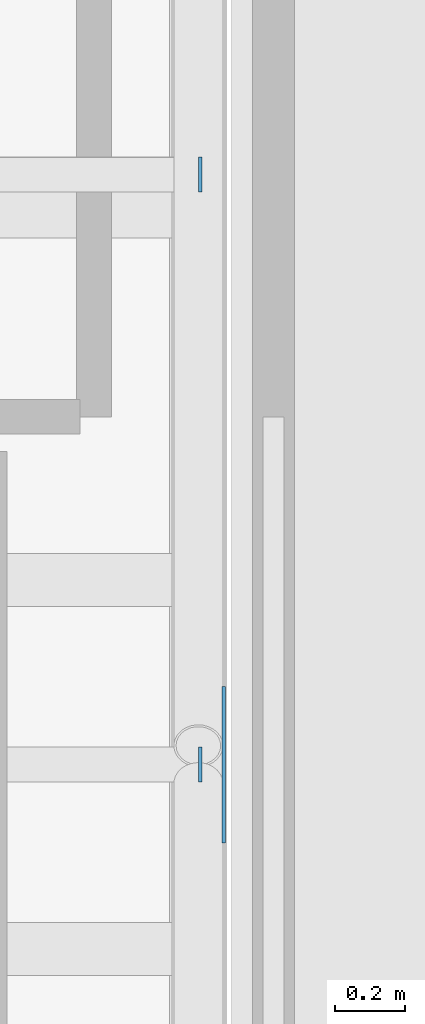
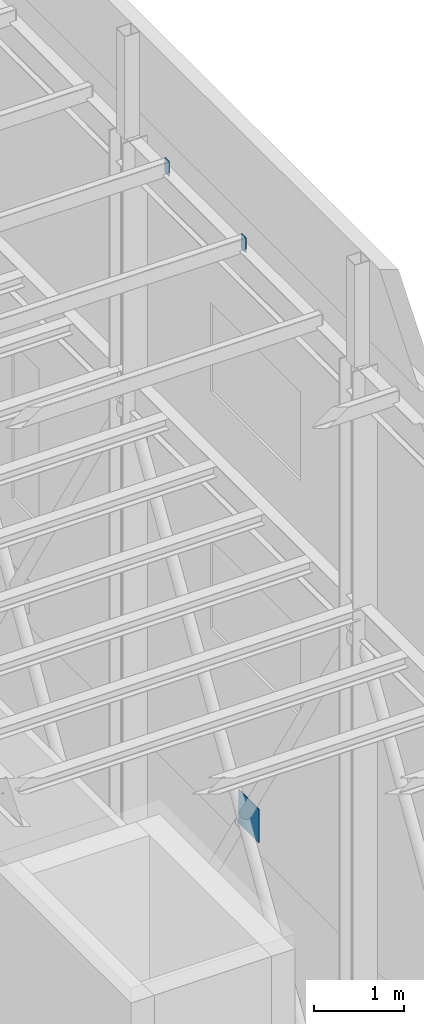
# One storey, part 12 of 22: 3 plates.
"""IFC4 building model written with IfcOpenShell, lengths in metres."""

import ifcopenshell
import ifcopenshell.guid

model = None  # the IFC model being written
_history = None  # IfcOwnerHistory: only IFC2X3 demands one
_inside = {}  # id of a spatial element -> (the spatial element, [elements in it])
_under = {}  # id of a project, library or spatial element -> (it, [spatial elements below it])
_declared = {}  # id of a project -> (the project, [libraries it declares])
_typed = {}  # id of a type object -> (the type object, [elements of that type])
_made_of = {}  # id of a material, layer set ... -> (it, [elements and type objects made of it])


def new_model(schema):
    """Start an empty IFC model of exactly this schema.

    Asked for "IFC4X3", IfcOpenShell would pick the latest addendum, in which some entities
    have other attributes; the version numbers below select the first issue.
    IFC2X3 requires an IfcOwnerHistory on every rooted entity: one is made here for all.
    """
    global model, _history
    if schema == "IFC4X3":
        model = ifcopenshell.file(schema_version=(4, 3, 0, 0))
    else:
        model = ifcopenshell.file(schema=schema)
    _inside.clear()
    _under.clear()
    _declared.clear()
    _typed.clear()
    _made_of.clear()
    _history = None
    if model.schema == "IFC2X3":
        org = make("IfcOrganization", Name="unknown")
        user = make(
            "IfcPersonAndOrganization",
            ThePerson=make("IfcPerson", FamilyName="unknown"),
            TheOrganization=org,
        )
        app = make(
            "IfcApplication",
            ApplicationDeveloper=org,
            Version="unknown",
            ApplicationFullName="unknown",
            ApplicationIdentifier="unknown",
        )
        _history = make(
            "IfcOwnerHistory",
            OwningUser=user,
            OwningApplication=app,
            ChangeAction="ADDED",
            CreationDate=0,
        )
    return model


def make(cls, **values):
    """One entity of the class cls with the attributes given. An attribute that is None is left unset."""
    return model.create_entity(
        cls, **{name: value for name, value in values.items() if value is not None}
    )


def rooted(cls, **values):
    """An entity with a GlobalId (a new one), such as an element, a storey or a relation."""
    return make(cls, GlobalId=ifcopenshell.guid.new(), OwnerHistory=_history, **values)


def si_unit(unit_type, name, prefix=None):
    """IfcSIUnit, for example si_unit("LENGTHUNIT", "METRE", prefix="MILLI")."""
    return make("IfcSIUnit", UnitType=unit_type, Prefix=prefix, Name=name)


def assignment(units):
    """IfcUnitAssignment: the units of a project."""
    return None if units is None else make("IfcUnitAssignment", Units=units)


def point(xyz):
    """IfcCartesianPoint."""
    return None if xyz is None else make("IfcCartesianPoint", Coordinates=xyz)


def direction(xyz):
    """IfcDirection."""
    return None if xyz is None else make("IfcDirection", DirectionRatios=xyz)


def frame(location, z_axis=None, x_axis=None):
    """IfcAxis2Placement3D, a coordinate frame: its origin and axes. An axis left out is left unset."""
    return make(
        "IfcAxis2Placement3D",
        Location=point(location),
        Axis=direction(z_axis),
        RefDirection=direction(x_axis),
    )


def frame_2d(location, x_axis=None):
    """IfcAxis2Placement2D, a coordinate frame in the plane: its origin and x axis."""
    return make(
        "IfcAxis2Placement2D", Location=point(location), RefDirection=direction(x_axis)
    )


def origin():
    """The frame at (0, 0, 0) with its axes left unset."""
    return frame((0.0, 0.0, 0.0))


def origin_2d():
    """The frame at (0, 0) in the plane with its x axis left unset."""
    return frame_2d((0.0, 0.0))


def place(relative_to, where):
    """IfcLocalPlacement: puts the frame where relative to a parent placement (None: the world)."""
    return make(
        "IfcLocalPlacement", PlacementRelTo=relative_to, RelativePlacement=where
    )


def context(
    kind, dimensions, precision=None, world=None, true_north=None, identifier=None
):
    """IfcGeometricRepresentationContext, for example the 3D "Model" context."""
    return make(
        "IfcGeometricRepresentationContext",
        ContextIdentifier=identifier,
        ContextType=kind,
        CoordinateSpaceDimension=dimensions,
        Precision=precision,
        WorldCoordinateSystem=world,
        TrueNorth=true_north,
    )


def subcontext(parent, identifier, kind, view, scale=None):
    """IfcGeometricRepresentationSubContext, for example "Body" below "Model"."""
    return make(
        "IfcGeometricRepresentationSubContext",
        ContextIdentifier=identifier,
        ContextType=kind,
        ParentContext=parent,
        TargetScale=scale,
        TargetView=view,
    )


def project(units=None, contexts=None):
    """IfcProject with its units and contexts."""
    return rooted(
        "IfcProject",
        Name="project",
        RepresentationContexts=contexts,
        UnitsInContext=assignment(units),
    )


def spatial(cls, under=None, at=None, **own):
    """A site, building, storey or space (cls), placed at a placement, below another one or the project."""
    s = rooted(cls, ObjectPlacement=at, **own)
    if under is not None:
        _under.setdefault(under.id(), (under, []))[1].append(s)
    return s


def profile(cls, at=None, kind="AREA", **sizes):
    """A parametric profile (cls). Its sizes go by their IFC names, for example OverallWidth=200.0."""
    return make(cls, ProfileType=kind, Position=at, **sizes)


def rectangle(**sizes):
    """IfcRectangleProfileDef."""
    return profile("IfcRectangleProfileDef", **sizes)


def extrude(swept, where, along, depth):
    """IfcExtrudedAreaSolid: the profile swept, set in the frame where, extruded along a direction by depth."""
    return make(
        "IfcExtrudedAreaSolid",
        SweptArea=swept,
        Position=where,
        ExtrudedDirection=direction(along),
        Depth=depth,
    )


def shape(context_of_items, identifier, shape_type, items):
    """IfcShapeRepresentation: the items that make up one representation, for example the "Body"."""
    return make(
        "IfcShapeRepresentation",
        ContextOfItems=context_of_items,
        RepresentationIdentifier=identifier,
        RepresentationType=shape_type,
        Items=items,
    )


def material(Name=None, Category=None):
    """IfcMaterial."""
    return make("IfcMaterial", Name=Name, Category=Category)


def layer(
    of_material, thickness, ventilated=None, Name=None, Category=None, Priority=None
):
    """IfcMaterialLayer: one layer of a wall or slab, of a material (None: an air gap)."""
    return make(
        "IfcMaterialLayer",
        Material=of_material,
        LayerThickness=thickness,
        IsVentilated=ventilated,
        Name=Name,
        Category=Category,
        Priority=Priority,
    )


def layer_set(layers, Name=None):
    """IfcMaterialLayerSet."""
    return make("IfcMaterialLayerSet", MaterialLayers=layers, LayerSetName=Name)


def made_of(thing, what):
    """Note that an element or type object is made of a material, layer set ...; save() writes the relation."""
    if what is not None:
        _made_of.setdefault(what.id(), (what, []))[1].append(thing)
    return thing


def type_object(cls, material=None, **own):
    """A type object (cls), such as IfcWallType, which elements share."""
    return made_of(rooted(cls, **own), material)


def element(
    cls,
    number,
    at=None,
    inside=None,
    cuts=None,
    type_object=None,
    material=None,
    context=None,
    identifier="Body",
    shape_type=None,
    held_by="IfcProductDefinitionShape",
    body=None,
    shapes=None,
    **own,
):
    """One element of the class cls, such as IfcWall. Its Tag is "e" and its number.

    at: its placement. inside: the storey or other place that contains it. cuts: it is an
    opening in that element (IfcRelVoidsElement). A single representation is given by context,
    identifier, shape_type and body (its items); several are given by shapes. held_by: the class
    of the entity that holds the representations. save() writes the other relations.
    """
    e = rooted(cls, Tag="e%d" % number, ObjectPlacement=at, **own)
    if body is not None:
        shapes = [shape(context, identifier, shape_type, body)]
    if shapes is not None:
        e.Representation = make(held_by, Representations=shapes)
    if inside is not None:
        _inside.setdefault(inside.id(), (inside, []))[1].append(e)
    if cuts is not None:
        rooted(
            "IfcRelVoidsElement", RelatingBuildingElement=cuts, RelatedOpeningElement=e
        )
    if type_object is not None:
        _typed.setdefault(type_object.id(), (type_object, []))[1].append(e)
    return made_of(e, material)


def aggregate(whole, parts):
    """IfcRelAggregates: a whole, such as a stair, and the parts it consists of."""
    return rooted("IfcRelAggregates", RelatingObject=whole, RelatedObjects=parts)


def save(model, path):
    """Write the relations noted so far, then the file.

    IfcRelAggregates (storeys below a building ...), IfcRelContainedInSpatialStructure (elements
    in a storey), IfcRelDefinesByType, IfcRelAssociatesMaterial and IfcRelDeclares: one each for
    every whole, place, type object, material and project.
    """
    for whole, parts in _under.values():
        aggregate(whole, parts)
    for where, things in _inside.values():
        rooted(
            "IfcRelContainedInSpatialStructure",
            RelatedElements=things,
            RelatingStructure=where,
        )
    for kind, things in _typed.values():
        rooted("IfcRelDefinesByType", RelatedObjects=things, RelatingType=kind)
    for what, things in _made_of.values():
        rooted("IfcRelAssociatesMaterial", RelatedObjects=things, RelatingMaterial=what)
    for by, libraries in _declared.values():
        rooted("IfcRelDeclares", RelatingContext=by, RelatedDefinitions=libraries)
    model.write(path)


model = new_model("IFC4")

# Units and contexts
model_context = context("Model", 3, precision=1e-05, world=origin(), true_north=direction((0.0, 1.0)))
body_context = subcontext(model_context, "Body", "Model", "MODEL_VIEW")
ifc_project = project(units=[si_unit("LENGTHUNIT", "METRE"), si_unit("AREAUNIT", "SQUARE_METRE"), si_unit("VOLUMEUNIT", "CUBIC_METRE"), si_unit("PLANEANGLEUNIT", "RADIAN"), si_unit("MASSUNIT", "GRAM", prefix="KILO")], contexts=[model_context])

# Site, building, storey
site_placement = place(None, origin())
site = spatial("IfcSite", under=ifc_project, at=site_placement, CompositionType="ELEMENT")
building_placement = place(site_placement, origin())
building = spatial("IfcBuilding", under=site, at=building_placement, Name="Tide Square Theatres", CompositionType="ELEMENT")
storey_placement = place(building_placement, frame((0.0, 0.0, 24.0)))
storey = spatial("IfcBuildingStorey", under=building, at=storey_placement, Name="L05", CompositionType="ELEMENT", Elevation=24.0)

# Plates
ifc_material = material(Name="Steel ASTM A572 Grade 50", Category="steel")
ifc_layer = layer(ifc_material, 0.010009765625)
ifc_layer_set = layer_set([ifc_layer], Name="Steel ASTM A572 Grade 50")
plate_type = type_object("IfcPlateType", Name="Steel end plate 10 thick", PredefinedType="USERDEFINED", material=ifc_layer_set)
for number, where, z_axis, x_axis, name in (
    (1, (96.72900390625, 69.0, 12.16015625), (0.0, 0.0, 1.0), (1.0, 0.0, 0.0), "Tower roof purlin end plate"),
    (2, (96.72900390625, 70.696533203125, 12.16015625), (0.0, 0.0, 1.0), (1.0, 0.0, 0.0), "Tower roof purlin end plate"),
):
    element("IfcPlate", number, at=place(storey_placement, frame(where, z_axis=z_axis, x_axis=x_axis)), inside=storey, type_object=plate_type, Name=name, ObjectType="END PLATE", PredefinedType="USERDEFINED", context=body_context, shape_type="SweptSolid", body=[
        extrude(rectangle(XDim=0.010009765625, YDim=0.10009765625, at=origin_2d()), origin(), (0.0, 0.0, 1.0), 0.199951171875),
    ])
plate_placement = place(storey_placement, frame((96.797607421875, 69.0, 4.27490234375), z_axis=(0.0, 0.0, 1.0), x_axis=(1.0, 0.0, 0.0)))
element("IfcPlate", 3, at=plate_placement, inside=storey, type_object=plate_type, Name="Fly tower brace crossing node plate", ObjectType="END PLATE", PredefinedType="USERDEFINED", context=body_context, shape_type="SweptSolid", body=[
    extrude(rectangle(XDim=0.010009765625, YDim=0.449951171875, at=origin_2d()), origin(), (0.0, 0.0, 1.0), 0.449951171875),
])

save(model, "model.ifc")
